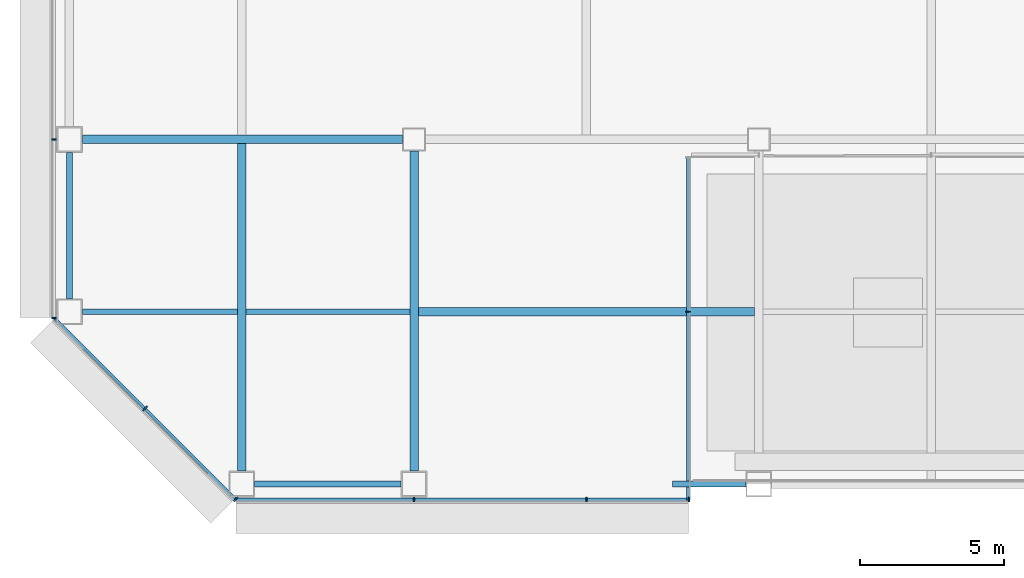
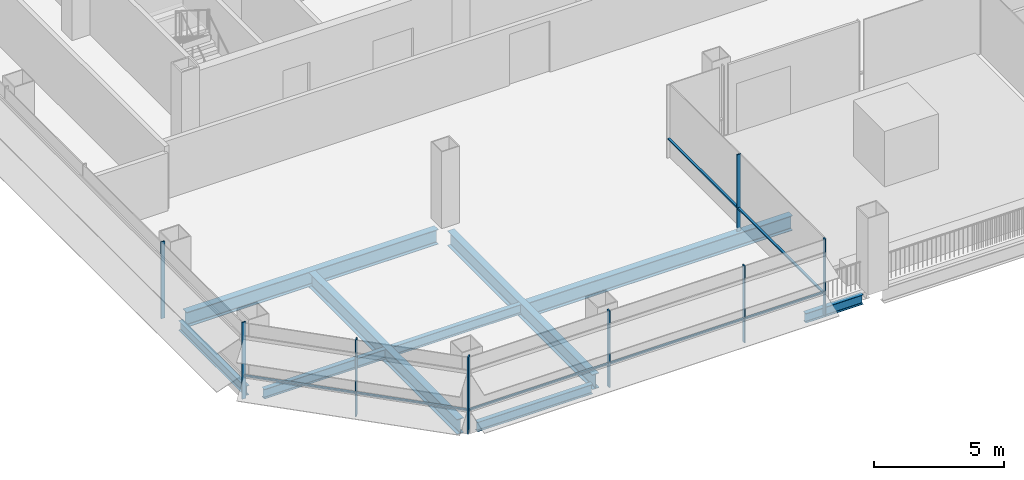
# One storey, part 2 of 27: 11 members, 9 beams, 4 elements without a shape of their own.
"""IFC4 building model written with IfcOpenShell, lengths in metres."""

import ifcopenshell
import ifcopenshell.guid

model = None  # the IFC model being written
_history = None  # IfcOwnerHistory: only IFC2X3 demands one
_inside = {}  # id of a spatial element -> (the spatial element, [elements in it])
_under = {}  # id of a project, library or spatial element -> (it, [spatial elements below it])
_declared = {}  # id of a project -> (the project, [libraries it declares])
_typed = {}  # id of a type object -> (the type object, [elements of that type])
_made_of = {}  # id of a material, layer set ... -> (it, [elements and type objects made of it])


def new_model(schema):
    """Start an empty IFC model of exactly this schema.

    Asked for "IFC4X3", IfcOpenShell would pick the latest addendum, in which some entities
    have other attributes; the version numbers below select the first issue.
    IFC2X3 requires an IfcOwnerHistory on every rooted entity: one is made here for all.
    """
    global model, _history
    if schema == "IFC4X3":
        model = ifcopenshell.file(schema_version=(4, 3, 0, 0))
    else:
        model = ifcopenshell.file(schema=schema)
    _inside.clear()
    _under.clear()
    _declared.clear()
    _typed.clear()
    _made_of.clear()
    _history = None
    if model.schema == "IFC2X3":
        org = make("IfcOrganization", Name="unknown")
        user = make(
            "IfcPersonAndOrganization",
            ThePerson=make("IfcPerson", FamilyName="unknown"),
            TheOrganization=org,
        )
        app = make(
            "IfcApplication",
            ApplicationDeveloper=org,
            Version="unknown",
            ApplicationFullName="unknown",
            ApplicationIdentifier="unknown",
        )
        _history = make(
            "IfcOwnerHistory",
            OwningUser=user,
            OwningApplication=app,
            ChangeAction="ADDED",
            CreationDate=0,
        )
    return model


def make(cls, **values):
    """One entity of the class cls with the attributes given. An attribute that is None is left unset."""
    return model.create_entity(
        cls, **{name: value for name, value in values.items() if value is not None}
    )


def rooted(cls, **values):
    """An entity with a GlobalId (a new one), such as an element, a storey or a relation."""
    return make(cls, GlobalId=ifcopenshell.guid.new(), OwnerHistory=_history, **values)


def si_unit(unit_type, name, prefix=None):
    """IfcSIUnit, for example si_unit("LENGTHUNIT", "METRE", prefix="MILLI")."""
    return make("IfcSIUnit", UnitType=unit_type, Prefix=prefix, Name=name)


def assignment(units):
    """IfcUnitAssignment: the units of a project."""
    return None if units is None else make("IfcUnitAssignment", Units=units)


def point(xyz):
    """IfcCartesianPoint."""
    return None if xyz is None else make("IfcCartesianPoint", Coordinates=xyz)


def direction(xyz):
    """IfcDirection."""
    return None if xyz is None else make("IfcDirection", DirectionRatios=xyz)


def frame(location, z_axis=None, x_axis=None):
    """IfcAxis2Placement3D, a coordinate frame: its origin and axes. An axis left out is left unset."""
    return make(
        "IfcAxis2Placement3D",
        Location=point(location),
        Axis=direction(z_axis),
        RefDirection=direction(x_axis),
    )


def frame_2d(location, x_axis=None):
    """IfcAxis2Placement2D, a coordinate frame in the plane: its origin and x axis."""
    return make(
        "IfcAxis2Placement2D", Location=point(location), RefDirection=direction(x_axis)
    )


def origin():
    """The frame at (0, 0, 0) with its axes left unset."""
    return frame((0.0, 0.0, 0.0))


def origin_2d():
    """The frame at (0, 0) in the plane with its x axis left unset."""
    return frame_2d((0.0, 0.0))


def place(relative_to, where):
    """IfcLocalPlacement: puts the frame where relative to a parent placement (None: the world)."""
    return make(
        "IfcLocalPlacement", PlacementRelTo=relative_to, RelativePlacement=where
    )


def context(
    kind, dimensions, precision=None, world=None, true_north=None, identifier=None
):
    """IfcGeometricRepresentationContext, for example the 3D "Model" context."""
    return make(
        "IfcGeometricRepresentationContext",
        ContextIdentifier=identifier,
        ContextType=kind,
        CoordinateSpaceDimension=dimensions,
        Precision=precision,
        WorldCoordinateSystem=world,
        TrueNorth=true_north,
    )


def subcontext(parent, identifier, kind, view, scale=None):
    """IfcGeometricRepresentationSubContext, for example "Body" below "Model"."""
    return make(
        "IfcGeometricRepresentationSubContext",
        ContextIdentifier=identifier,
        ContextType=kind,
        ParentContext=parent,
        TargetScale=scale,
        TargetView=view,
    )


def project(units=None, contexts=None):
    """IfcProject with its units and contexts."""
    return rooted(
        "IfcProject",
        Name="project",
        RepresentationContexts=contexts,
        UnitsInContext=assignment(units),
    )


def spatial(cls, under=None, at=None, **own):
    """A site, building, storey or space (cls), placed at a placement, below another one or the project."""
    s = rooted(cls, ObjectPlacement=at, **own)
    if under is not None:
        _under.setdefault(under.id(), (under, []))[1].append(s)
    return s


def profile(cls, at=None, kind="AREA", **sizes):
    """A parametric profile (cls). Its sizes go by their IFC names, for example OverallWidth=200.0."""
    return make(cls, ProfileType=kind, Position=at, **sizes)


def rectangle(**sizes):
    """IfcRectangleProfileDef."""
    return profile("IfcRectangleProfileDef", **sizes)


def i_section(**sizes):
    """IfcIShapeProfileDef."""
    return profile("IfcIShapeProfileDef", **sizes)


def extrude(swept, where, along, depth):
    """IfcExtrudedAreaSolid: the profile swept, set in the frame where, extruded along a direction by depth."""
    return make(
        "IfcExtrudedAreaSolid",
        SweptArea=swept,
        Position=where,
        ExtrudedDirection=direction(along),
        Depth=depth,
    )


def shape(context_of_items, identifier, shape_type, items):
    """IfcShapeRepresentation: the items that make up one representation, for example the "Body"."""
    return make(
        "IfcShapeRepresentation",
        ContextOfItems=context_of_items,
        RepresentationIdentifier=identifier,
        RepresentationType=shape_type,
        Items=items,
    )


def material(Name=None, Category=None):
    """IfcMaterial."""
    return make("IfcMaterial", Name=Name, Category=Category)


def material_profile(
    of_material, cross_section, Name=None, Category=None, Priority=None
):
    """IfcMaterialProfile: a cross section and its material."""
    return make(
        "IfcMaterialProfile",
        Name=Name,
        Material=of_material,
        Profile=cross_section,
        Priority=Priority,
        Category=Category,
    )


def profile_set(profiles, Name=None, composite=None):
    """IfcMaterialProfileSet."""
    return make(
        "IfcMaterialProfileSet",
        Name=Name,
        MaterialProfiles=profiles,
        CompositeProfile=composite,
    )


def made_of(thing, what):
    """Note that an element or type object is made of a material, layer set ...; save() writes the relation."""
    if what is not None:
        _made_of.setdefault(what.id(), (what, []))[1].append(thing)
    return thing


def type_object(cls, material=None, **own):
    """A type object (cls), such as IfcWallType, which elements share."""
    return made_of(rooted(cls, **own), material)


def element(
    cls,
    number,
    at=None,
    inside=None,
    cuts=None,
    type_object=None,
    material=None,
    context=None,
    identifier="Body",
    shape_type=None,
    held_by="IfcProductDefinitionShape",
    body=None,
    shapes=None,
    **own,
):
    """One element of the class cls, such as IfcWall. Its Tag is "e" and its number.

    at: its placement. inside: the storey or other place that contains it. cuts: it is an
    opening in that element (IfcRelVoidsElement). A single representation is given by context,
    identifier, shape_type and body (its items); several are given by shapes. held_by: the class
    of the entity that holds the representations. save() writes the other relations.
    """
    e = rooted(cls, Tag="e%d" % number, ObjectPlacement=at, **own)
    if body is not None:
        shapes = [shape(context, identifier, shape_type, body)]
    if shapes is not None:
        e.Representation = make(held_by, Representations=shapes)
    if inside is not None:
        _inside.setdefault(inside.id(), (inside, []))[1].append(e)
    if cuts is not None:
        rooted(
            "IfcRelVoidsElement", RelatingBuildingElement=cuts, RelatedOpeningElement=e
        )
    if type_object is not None:
        _typed.setdefault(type_object.id(), (type_object, []))[1].append(e)
    return made_of(e, material)


def aggregate(whole, parts):
    """IfcRelAggregates: a whole, such as a stair, and the parts it consists of."""
    return rooted("IfcRelAggregates", RelatingObject=whole, RelatedObjects=parts)


def save(model, path):
    """Write the relations noted so far, then the file.

    IfcRelAggregates (storeys below a building ...), IfcRelContainedInSpatialStructure (elements
    in a storey), IfcRelDefinesByType, IfcRelAssociatesMaterial and IfcRelDeclares: one each for
    every whole, place, type object, material and project.
    """
    for whole, parts in _under.values():
        aggregate(whole, parts)
    for where, things in _inside.values():
        rooted(
            "IfcRelContainedInSpatialStructure",
            RelatedElements=things,
            RelatingStructure=where,
        )
    for kind, things in _typed.values():
        rooted("IfcRelDefinesByType", RelatedObjects=things, RelatingType=kind)
    for what, things in _made_of.values():
        rooted("IfcRelAssociatesMaterial", RelatedObjects=things, RelatingMaterial=what)
    for by, libraries in _declared.values():
        rooted("IfcRelDeclares", RelatingContext=by, RelatedDefinitions=libraries)
    model.write(path)


model = new_model("IFC4")

# Units and contexts
model_context = context("Model", 3, precision=1e-05, world=origin(), true_north=direction((0.0, 1.0)))
body_context = subcontext(model_context, "Body", "Model", "MODEL_VIEW")
ifc_project = project(units=[si_unit("LENGTHUNIT", "METRE"), si_unit("AREAUNIT", "SQUARE_METRE"), si_unit("VOLUMEUNIT", "CUBIC_METRE"), si_unit("PLANEANGLEUNIT", "RADIAN"), si_unit("MASSUNIT", "GRAM", prefix="KILO")], contexts=[model_context])

# Site, building, storey
site_placement = place(None, origin())
site = spatial("IfcSite", under=ifc_project, at=site_placement, CompositionType="ELEMENT")
building_placement = place(site_placement, origin())
building = spatial("IfcBuilding", under=site, at=building_placement, Name="Sorahane Residences", CompositionType="ELEMENT")
storey_placement = place(building_placement, frame((0.0, 0.0, 82.199951171875)))
storey = spatial("IfcBuildingStorey", under=building, at=storey_placement, Name="L17", CompositionType="ELEMENT", Elevation=82.199951171875)

# Curtain wall, members
ifc_material_1 = material(Name="Dark low-e glass and black anodised aluminium", Category="aluminium")
curtain_wall_type_1 = type_object("IfcCurtainWallType", Name="Curtain wall CW-1 Typical unitised wall", PredefinedType="NOTDEFINED", material=ifc_material_1)
curtain_wall_1_placement = place(storey_placement, origin())
curtain_wall_1 = element("IfcCurtainWall", 1, at=curtain_wall_1_placement, inside=storey, type_object=curtain_wall_type_1, Name="CW-1 curtain wall L17 S1", PredefinedType="NOTDEFINED")
ifc_material_2 = material(Name="Black anodised aluminium", Category="aluminium")
ifc_material_profile_1 = material_profile(ifc_material_2, rectangle(XDim=0.159912109375, YDim=0.050048828125, at=origin_2d()), Name="Curtain wall mullion CW-1 black anodised aluminium 50x160")
ifc_profile_set_1 = profile_set([ifc_material_profile_1], Name="Black anodised aluminium")
member_type_1 = type_object("IfcMemberType", Name="Curtain wall mullion CW-1 black anodised aluminium 50x160", PredefinedType="MULLION", material=ifc_profile_set_1)
member_1_placement = place(storey_placement, frame((12.0, -0.5400390625, -0.179931640625), z_axis=(0.0, 0.0, 1.0), x_axis=(0.0, -1.0, 0.0)))
member_1 = element("IfcMember", 2, at=member_1_placement, type_object=member_type_1, Name="CW-1 mullion L17 S1.2", PredefinedType="MULLION", context=body_context, shape_type="SweptSolid", body=[
    extrude(rectangle(XDim=0.159912109375, YDim=0.050048828125, at=origin_2d()), origin(), (0.0, 0.0, 1.0), 3.60009765625),
])
member_2_placement = place(storey_placement, frame((18.0, -0.5400390625, -0.179931640625), z_axis=(0.0, 0.0, 1.0), x_axis=(0.0, -1.0, 0.0)))
member_2 = element("IfcMember", 3, at=member_2_placement, type_object=member_type_1, Name="CW-1 mullion L17 S1.3", PredefinedType="MULLION", context=body_context, shape_type="SweptSolid", body=[
    extrude(rectangle(XDim=0.159912109375, YDim=0.050048828125, at=origin_2d()), origin(), (0.0, 0.0, 1.0), 3.60009765625),
])
member_3_placement = place(storey_placement, frame((21.574951171875, -0.5400390625, -0.179931640625), z_axis=(0.0, 0.0, 1.0), x_axis=(0.0, -1.0, 0.0)))
member_3 = element("IfcMember", 4, at=member_3_placement, type_object=member_type_1, Name="CW-1 mullion L17 S1.4", PredefinedType="MULLION", context=body_context, shape_type="SweptSolid", body=[
    extrude(rectangle(XDim=0.159912109375, YDim=0.050048828125, at=origin_2d()), origin(), (0.0, 0.0, 1.0), 3.60009765625),
])

# Curtain wall, member
curtain_wall_2_placement = place(storey_placement, origin())
curtain_wall_2 = element("IfcCurtainWall", 5, at=curtain_wall_2_placement, inside=storey, type_object=curtain_wall_type_1, Name="CW-1 curtain wall L17 E1", PredefinedType="NOTDEFINED")
member_4_placement = place(storey_placement, frame((21.5400390625, 6.0, -0.179931640625), z_axis=(0.0, 0.0, 1.0), x_axis=(1.0, 0.0, 0.0)))
member_4 = element("IfcMember", 6, at=member_4_placement, type_object=member_type_1, Name="CW-1 mullion L17 E1.2", PredefinedType="MULLION", context=body_context, shape_type="SweptSolid", body=[
    extrude(rectangle(XDim=0.159912109375, YDim=0.050048828125, at=origin_2d()), origin(), (0.0, 0.0, 1.0), 3.60009765625),
])

# Curtain wall, members
curtain_wall_3_placement = place(storey_placement, origin())
curtain_wall_3 = element("IfcCurtainWall", 7, at=curtain_wall_3_placement, inside=storey, type_object=curtain_wall_type_1, Name="CW-1 curtain wall L17 W2", PredefinedType="NOTDEFINED")
member_5_placement = place(storey_placement, frame((-0.5400390625, 12.0, -0.179931640625), z_axis=(0.0, 0.0, 1.0), x_axis=(-1.0, 0.0, 0.0)))
member_5 = element("IfcMember", 8, at=member_5_placement, type_object=member_type_1, Name="CW-1 mullion L17 W2.6", PredefinedType="MULLION", context=body_context, shape_type="SweptSolid", body=[
    extrude(rectangle(XDim=0.159912109375, YDim=0.050048828125, at=origin_2d()), origin(), (0.0, 0.0, 1.0), 3.60009765625),
])
member_6_placement = place(storey_placement, frame((-0.5400390625, 5.7763671875, -0.179931640625), z_axis=(0.0, 0.0, 1.0), x_axis=(-1.0, 0.0, 0.0)))
member_6 = element("IfcMember", 9, at=member_6_placement, type_object=member_type_1, Name="CW-1 mullion L17 W2.7", PredefinedType="MULLION", context=body_context, shape_type="SweptSolid", body=[
    extrude(rectangle(XDim=0.159912109375, YDim=0.050048828125, at=origin_2d()), origin(), (0.0, 0.0, 1.0), 3.60009765625),
])
aggregate(curtain_wall_3, [member_5, member_6])

ifc_material_3 = material(Name="Dark low-e glass and black anodised aluminium", Category="aluminium")
curtain_wall_type_2 = type_object("IfcCurtainWallType", Name="Curtain wall CW-2 Chamfer unitised wall", PredefinedType="NOTDEFINED", material=ifc_material_3)
curtain_wall_4_placement = place(storey_placement, origin())
curtain_wall_4 = element("IfcCurtainWall", 10, at=curtain_wall_4_placement, inside=storey, type_object=curtain_wall_type_2, Name="CW-2 curtain wall L17 SW1", PredefinedType="NOTDEFINED")
ifc_material_4 = material(Name="Black anodised aluminium", Category="aluminium")
ifc_material_profile_2 = material_profile(ifc_material_4, rectangle(XDim=0.199951171875, YDim=0.050048828125, at=origin_2d()), Name="Curtain wall mullion CW-2 black anodised aluminium 50x200")
ifc_profile_set_2 = profile_set([ifc_material_profile_2], Name="Black anodised aluminium")
member_type_2 = type_object("IfcMemberType", Name="Curtain wall mullion CW-2 black anodised aluminium 50x200", PredefinedType="MULLION", material=ifc_profile_set_2)
member_7_placement = place(storey_placement, frame((2.63232421875, 2.63232421875, -0.179931640625), z_axis=(0.0, 0.0, 1.0), x_axis=(-0.707106781187, -0.707106781187, 0.0)))
member_7 = element("IfcMember", 11, at=member_7_placement, type_object=member_type_2, Name="CW-2 mullion L17 SW1.2", PredefinedType="MULLION", context=body_context, shape_type="SweptSolid", body=[
    extrude(rectangle(XDim=0.199951171875, YDim=0.050048828125, at=origin_2d()), origin(), (0.0, 0.0, 1.0), 3.60009765625),
])
member_8_placement = place(storey_placement, frame((5.790283203125, -0.525634765625, -0.179931640625), z_axis=(0.0, 0.0, 1.0), x_axis=(-0.707106781187, -0.707106781187, 0.0)))
member_8 = element("IfcMember", 12, at=member_8_placement, type_object=member_type_2, Name="CW-2 mullion L17 SW1.3", PredefinedType="MULLION", context=body_context, shape_type="SweptSolid", body=[
    extrude(rectangle(XDim=0.199951171875, YDim=0.050048828125, at=origin_2d()), origin(), (0.0, 0.0, 1.0), 3.60009765625),
])

# Member
ifc_material_5 = material(Name="Black anodised aluminium", Category="aluminium")
ifc_material_profile_3 = material_profile(ifc_material_5, rectangle(XDim=0.10009765625, YDim=0.06005859375, at=origin_2d()), Name="Curtain wall transom CW-1 black anodised aluminium 60x100")
ifc_profile_set_3 = profile_set([ifc_material_profile_3], Name="Black anodised aluminium")
member_type_3 = type_object("IfcMemberType", Name="Curtain wall transom CW-1 black anodised aluminium 60x100", PredefinedType="USERDEFINED", material=ifc_profile_set_3)
member_9_placement = place(storey_placement, frame((5.801513671875, -0.530029296875, 0.900146484375), z_axis=(1.0, 0.0, 0.0), x_axis=(0.0, 1.0, 0.0)))
member_9 = element("IfcMember", 13, at=member_9_placement, type_object=member_type_3, Name="CW-1 transom L17 S1", ObjectType="TRANSOM", PredefinedType="USERDEFINED", context=body_context, shape_type="SweptSolid", body=[
    extrude(rectangle(XDim=0.10009765625, YDim=0.06005859375, at=origin_2d()), origin(), (0.0, 0.0, 1.0), 15.74853515625),
])

aggregate(curtain_wall_1, [member_1, member_2, member_3, member_9])

member_10_placement = place(storey_placement, frame((21.530029296875, -0.550048828125, 0.900146484375), z_axis=(0.0, 1.0, 0.0), x_axis=(-1.0, 0.0, 0.0)))
member_10 = element("IfcMember", 14, at=member_10_placement, type_object=member_type_3, Name="CW-1 transom L17 E1", ObjectType="TRANSOM", PredefinedType="USERDEFINED", context=body_context, shape_type="SweptSolid", body=[
    extrude(rectangle(XDim=0.10009765625, YDim=0.06005859375, at=origin_2d()), origin(), (0.0, 0.0, 1.0), 11.900146484375),
])

aggregate(curtain_wall_2, [member_4, member_10])

ifc_material_6 = material(Name="Black anodised aluminium", Category="aluminium")
ifc_material_profile_4 = material_profile(ifc_material_6, rectangle(XDim=0.10009765625, YDim=0.06005859375, at=origin_2d()), Name="Curtain wall transom CW-2 black anodised aluminium 60x100")
ifc_profile_set_4 = profile_set([ifc_material_profile_4], Name="Black anodised aluminium")
member_type_4 = type_object("IfcMemberType", Name="Curtain wall transom CW-2 black anodised aluminium 60x100", PredefinedType="USERDEFINED", material=ifc_profile_set_4)
member_11_placement = place(storey_placement, frame((-0.51513671875, 5.765625, 0.900146484375), z_axis=(0.707106781187, -0.707106781187, 0.0), x_axis=(0.707106781187, 0.707106781187, 0.0)))
member_11 = element("IfcMember", 15, at=member_11_placement, type_object=member_type_4, Name="CW-2 transom L17 SW1", ObjectType="TRANSOM", PredefinedType="USERDEFINED", context=body_context, shape_type="SweptSolid", body=[
    extrude(rectangle(XDim=0.10009765625, YDim=0.06005859375, at=origin_2d()), origin(), (0.0, 0.0, 1.0), 8.88232421875),
])

aggregate(curtain_wall_4, [member_7, member_8, member_11])

# Beams
ifc_material_7 = material(Name="Steel Q355B", Category="steel")
ifc_material_profile_5 = material_profile(ifc_material_7, i_section(OverallWidth=0.199951171875, OverallDepth=0.449951171875, WebThickness=0.009033203125, FlangeThickness=0.013916015625, FilletRadius=0.02001953125, at=origin_2d()), Name="HN 450x200x9x14")
ifc_profile_set_5 = profile_set([ifc_material_profile_5], Name="Steel Q355B")
beam_type_1 = type_object("IfcBeamType", Name="Steel floor beam HN 450x200x9x14 Q355B", PredefinedType="BEAM", material=ifc_profile_set_5)
beam_1_placement = place(storey_placement, frame((6.449951171875, 0.0, -0.405029296875), z_axis=(1.0, 0.0, 0.0), x_axis=(0.0, 1.0, 0.0)))
element("IfcBeam", 16, at=beam_1_placement, inside=storey, type_object=beam_type_1, Name="Beam L17 000", PredefinedType="BEAM", context=body_context, shape_type="SweptSolid", body=[
    extrude(i_section(OverallWidth=0.199951171875, OverallDepth=0.449951171875, WebThickness=0.009033203125, FlangeThickness=0.013916015625, FilletRadius=0.02001953125, at=origin_2d()), origin(), (0.0, 0.0, 1.0), 5.10009765625),
])
beam_2_placement = place(storey_placement, frame((21.0, 0.0, -0.405029296875), z_axis=(1.0, 0.0, 0.0), x_axis=(0.0, 1.0, 0.0)))
element("IfcBeam", 17, at=beam_2_placement, inside=storey, type_object=beam_type_1, Name="Beam L17 002", PredefinedType="BEAM", context=body_context, shape_type="SweptSolid", body=[
    extrude(i_section(OverallWidth=0.199951171875, OverallDepth=0.449951171875, WebThickness=0.009033203125, FlangeThickness=0.013916015625, FilletRadius=0.02001953125, at=origin_2d()), origin(), (0.0, 0.0, 1.0), 2.550048828125),
])
beam_3_placement = place(storey_placement, frame((0.0, 6.449951171875, -0.405029296875), z_axis=(0.0, 1.0, 0.0), x_axis=(-1.0, 0.0, 0.0)))
element("IfcBeam", 18, at=beam_3_placement, inside=storey, type_object=beam_type_1, Name="Beam L17 017", PredefinedType="BEAM", context=body_context, shape_type="SweptSolid", body=[
    extrude(i_section(OverallWidth=0.199951171875, OverallDepth=0.449951171875, WebThickness=0.009033203125, FlangeThickness=0.013916015625, FilletRadius=0.02001953125, at=origin_2d()), origin(), (0.0, 0.0, 1.0), 5.10009765625),
])
beam_4_placement = place(storey_placement, frame((0.449951171875, 6.0, -0.405029296875), z_axis=(1.0, 0.0, 0.0), x_axis=(0.0, 1.0, 0.0)))
element("IfcBeam", 19, at=beam_4_placement, inside=storey, type_object=beam_type_1, Name="Beam L17 060", PredefinedType="BEAM", context=body_context, shape_type="SweptSolid", body=[
    extrude(i_section(OverallWidth=0.199951171875, OverallDepth=0.449951171875, WebThickness=0.009033203125, FlangeThickness=0.013916015625, FilletRadius=0.02001953125, at=origin_2d()), origin(), (0.0, 0.0, 1.0), 5.400146484375),
])
beam_5_placement = place(storey_placement, frame((6.14990234375, 6.0, -0.405029296875), z_axis=(1.0, 0.0, 0.0), x_axis=(0.0, 1.0, 0.0)))
element("IfcBeam", 20, at=beam_5_placement, inside=storey, type_object=beam_type_1, Name="Beam L17 061", PredefinedType="BEAM", context=body_context, shape_type="SweptSolid", body=[
    extrude(i_section(OverallWidth=0.199951171875, OverallDepth=0.449951171875, WebThickness=0.009033203125, FlangeThickness=0.013916015625, FilletRadius=0.02001953125, at=origin_2d()), origin(), (0.0, 0.0, 1.0), 5.7001953125),
])
ifc_material_8 = material(Name="Steel Q355B", Category="steel")
ifc_material_profile_6 = material_profile(ifc_material_8, i_section(OverallWidth=0.300048828125, OverallDepth=0.699951171875, WebThickness=0.012939453125, FlangeThickness=0.02392578125, FilletRadius=0.028076171875, at=origin_2d()), Name="HN 700x300x13x24")
ifc_profile_set_6 = profile_set([ifc_material_profile_6], Name="Steel Q355B")
beam_type_2 = type_object("IfcBeamType", Name="Steel floor beam HN 700x300x13x24 Q355B", PredefinedType="BEAM", material=ifc_profile_set_6)
beam_6_placement = place(storey_placement, frame((0.449951171875, 12.0, -0.530029296875), z_axis=(1.0, 0.0, 0.0), x_axis=(0.0, 1.0, 0.0)))
element("IfcBeam", 21, at=beam_6_placement, inside=storey, type_object=beam_type_2, Name="Beam L17 005", PredefinedType="BEAM", context=body_context, shape_type="SweptSolid", body=[
    extrude(i_section(OverallWidth=0.300048828125, OverallDepth=0.699951171875, WebThickness=0.012939453125, FlangeThickness=0.02392578125, FilletRadius=0.028076171875, at=origin_2d()), origin(), (0.0, 0.0, 1.0), 11.150146484375),
])
beam_7_placement = place(storey_placement, frame((6.0, 0.449951171875, -0.530029296875), z_axis=(0.0, 1.0, 0.0), x_axis=(-1.0, 0.0, 0.0)))
element("IfcBeam", 22, at=beam_7_placement, inside=storey, type_object=beam_type_2, Name="Beam L17 021", PredefinedType="BEAM", context=body_context, shape_type="SweptSolid", body=[
    extrude(i_section(OverallWidth=0.300048828125, OverallDepth=0.699951171875, WebThickness=0.012939453125, FlangeThickness=0.02392578125, FilletRadius=0.028076171875, at=origin_2d()), origin(), (0.0, 0.0, 1.0), 11.400146484375),
])
beam_8_placement = place(storey_placement, frame((12.0, 0.449951171875, -0.530029296875), z_axis=(0.0, 1.0, 0.0), x_axis=(-1.0, 0.0, 0.0)))
element("IfcBeam", 23, at=beam_8_placement, inside=storey, type_object=beam_type_2, Name="Beam L17 027", PredefinedType="BEAM", context=body_context, shape_type="SweptSolid", body=[
    extrude(i_section(OverallWidth=0.300048828125, OverallDepth=0.699951171875, WebThickness=0.012939453125, FlangeThickness=0.02392578125, FilletRadius=0.028076171875, at=origin_2d()), origin(), (0.0, 0.0, 1.0), 11.150146484375),
])
beam_9_placement = place(storey_placement, frame((12.14990234375, 6.0, -0.530029296875), z_axis=(1.0, 0.0, 0.0), x_axis=(0.0, 1.0, 0.0)))
element("IfcBeam", 24, at=beam_9_placement, inside=storey, type_object=beam_type_2, Name="Beam L17 062", PredefinedType="BEAM", context=body_context, shape_type="SweptSolid", body=[
    extrude(i_section(OverallWidth=0.300048828125, OverallDepth=0.699951171875, WebThickness=0.012939453125, FlangeThickness=0.02392578125, FilletRadius=0.028076171875, at=origin_2d()), origin(), (0.0, 0.0, 1.0), 11.7001953125),
])

save(model, "model.ifc")
